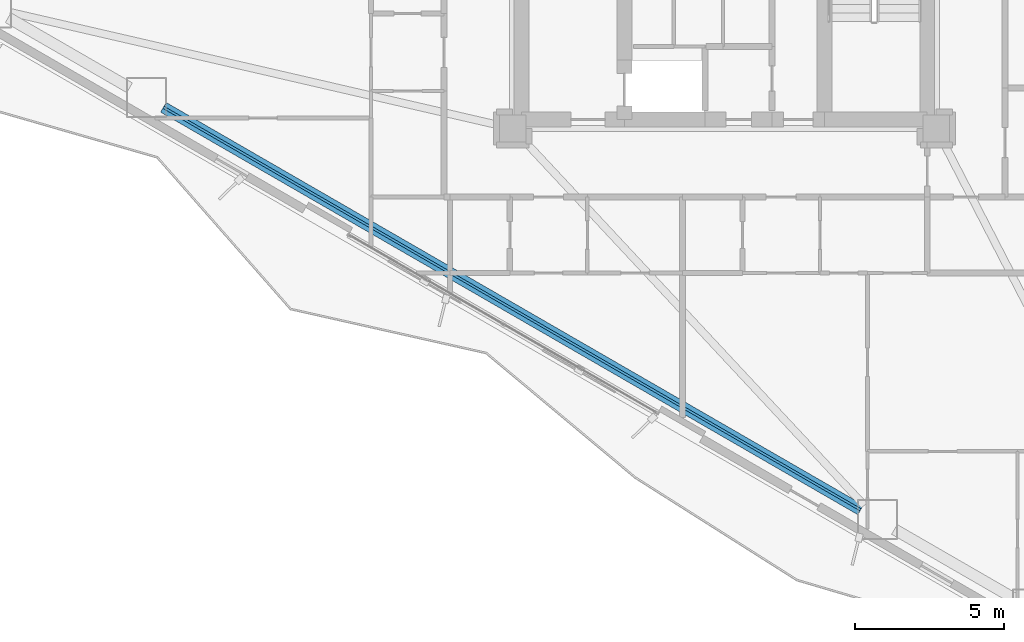
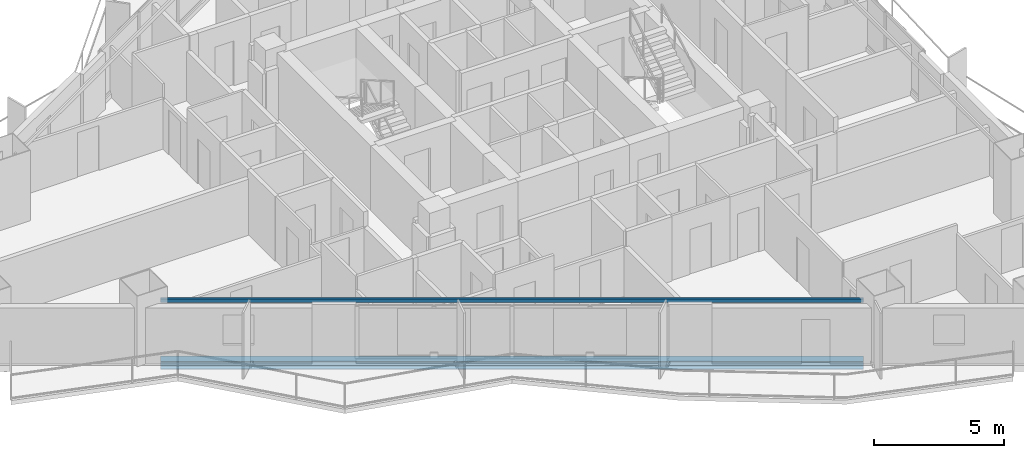
# One storey, part 3 of 18: 2 beams.
"""IFC4 building model written with IfcOpenShell, lengths in metres."""

from ifc_helpers import new_model, si_unit, direction, frame, origin, origin_2d, place, context, subcontext, project, spatial, hollow_rectangle, i_section, extrude, material, material_profile, profile_set, type_object, element, save


model = new_model("IFC4")

# Units and contexts
model_context = context("Model", 3, precision=1e-05, world=origin(), true_north=direction((0.0, 1.0)))
body_context = subcontext(model_context, "Body", "Model", "MODEL_VIEW")
ifc_project = project(units=[si_unit("LENGTHUNIT", "METRE"), si_unit("AREAUNIT", "SQUARE_METRE"), si_unit("VOLUMEUNIT", "CUBIC_METRE"), si_unit("PLANEANGLEUNIT", "RADIAN"), si_unit("MASSUNIT", "GRAM", prefix="KILO")], contexts=[model_context])

# Site, building, storey
site_placement = place(None, origin())
site = spatial("IfcSite", under=ifc_project, at=site_placement, CompositionType="ELEMENT")
building_placement = place(site_placement, origin())
building = spatial("IfcBuilding", under=site, at=building_placement, Name="Mersakhor Tower and Convention Hall", CompositionType="ELEMENT")
storey_placement = place(building_placement, frame((0.0, 0.0, 58.800048828125)))
storey = spatial("IfcBuildingStorey", under=building, at=storey_placement, Name="L16", CompositionType="ELEMENT", Elevation=58.800048828125)

# Beams
ifc_material_1 = material(Name="Steel S355", Category="steel")
ifc_material_profile_1 = material_profile(ifc_material_1, hollow_rectangle(XDim=0.080078125, YDim=0.179931640625, WallThickness=0.008056640625, at=origin_2d()), Name="RHS 180x80x8")
ifc_profile_set_1 = profile_set([ifc_material_profile_1], Name="Steel S355")
beam_type_1 = type_object("IfcBeamType", Name="BM-GRT-RHS180", PredefinedType="USERDEFINED", material=ifc_profile_set_1)
beam_1_placement = place(storey_placement, frame((33.566162109375, 7.6591796875, 2.47998046875), z_axis=(-0.866025970279, 0.499999018801, 0.0), x_axis=(-0.499999018801, -0.866025970279, 0.0)))
element("IfcBeam", 1, at=beam_1_placement, inside=storey, type_object=beam_type_1, Name="L16 Facade Support Girt GRT-F3", ObjectType="GIRT", PredefinedType="USERDEFINED", context=body_context, shape_type="SweptSolid", body=[
    extrude(hollow_rectangle(XDim=0.080078125, YDim=0.179931640625, WallThickness=0.008056640625, at=origin_2d()), origin(), (0.0, 0.0, 1.0), 26.99951171875),
])
ifc_material_2 = material(Name="Steel S355", Category="steel")
ifc_material_profile_2 = material_profile(ifc_material_2, i_section(OverallWidth=0.374755859375, OverallDepth=0.37451171875, WebThickness=0.0166015625, FlangeThickness=0.027099609375, at=origin_2d()), Name="UC 356x368x202")
ifc_profile_set_2 = profile_set([ifc_material_profile_2], Name="Steel S355")
beam_type_2 = type_object("IfcBeamType", Name="BM-SPD-UC356", PredefinedType="SPANDREL", material=ifc_profile_set_2)
beam_2_placement = place(storey_placement, frame((33.566162109375, 7.6591796875, -0.447265625), z_axis=(-0.866025970279, 0.499999018801, 0.0), x_axis=(-0.499999018801, -0.866025970279, 0.0)))
element("IfcBeam", 2, at=beam_2_placement, inside=storey, type_object=beam_type_2, Name="L16 Perimeter Spandrel Beam SPB-10", PredefinedType="SPANDREL", context=body_context, shape_type="SweptSolid", body=[
    extrude(i_section(OverallWidth=0.374755859375, OverallDepth=0.37451171875, WebThickness=0.0166015625, FlangeThickness=0.027099609375, at=origin_2d()), origin(), (0.0, 0.0, 1.0), 26.99951171875),
])

save(model, "model.ifc")
